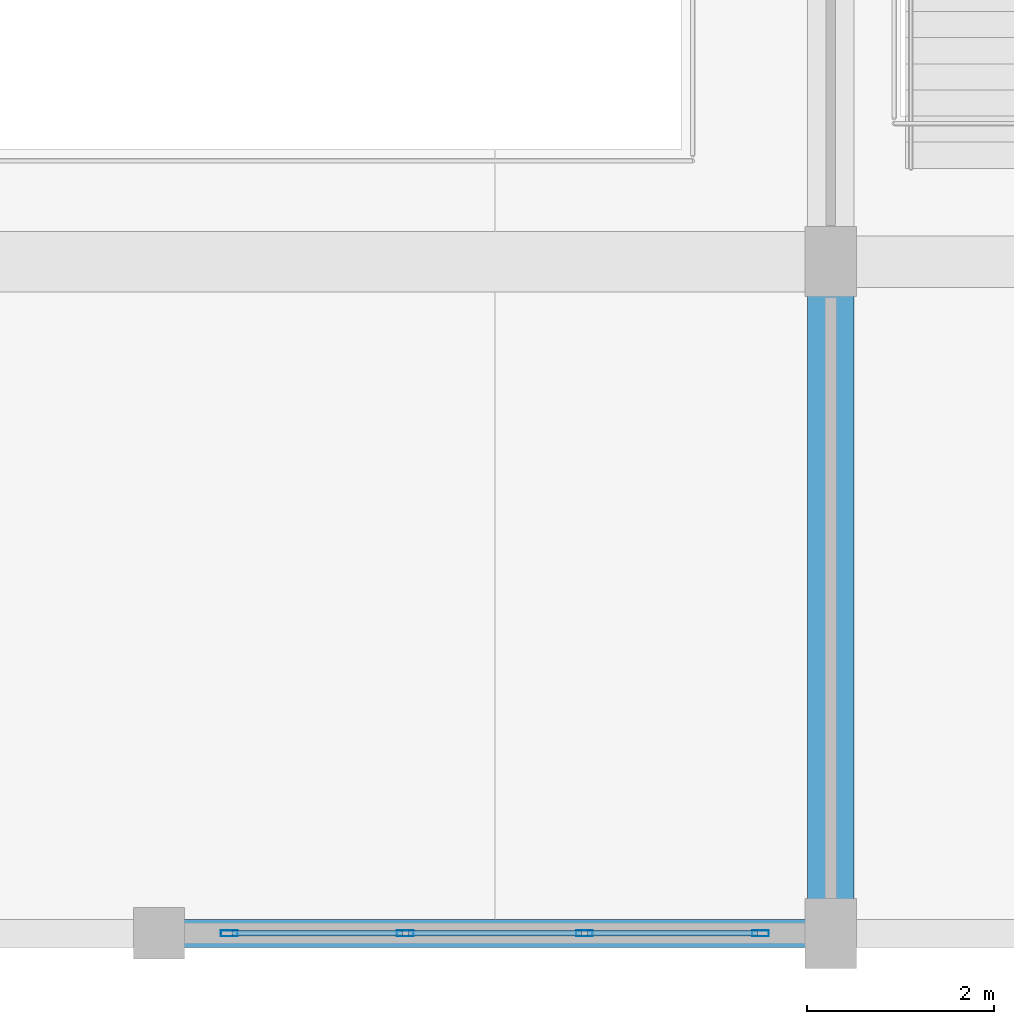
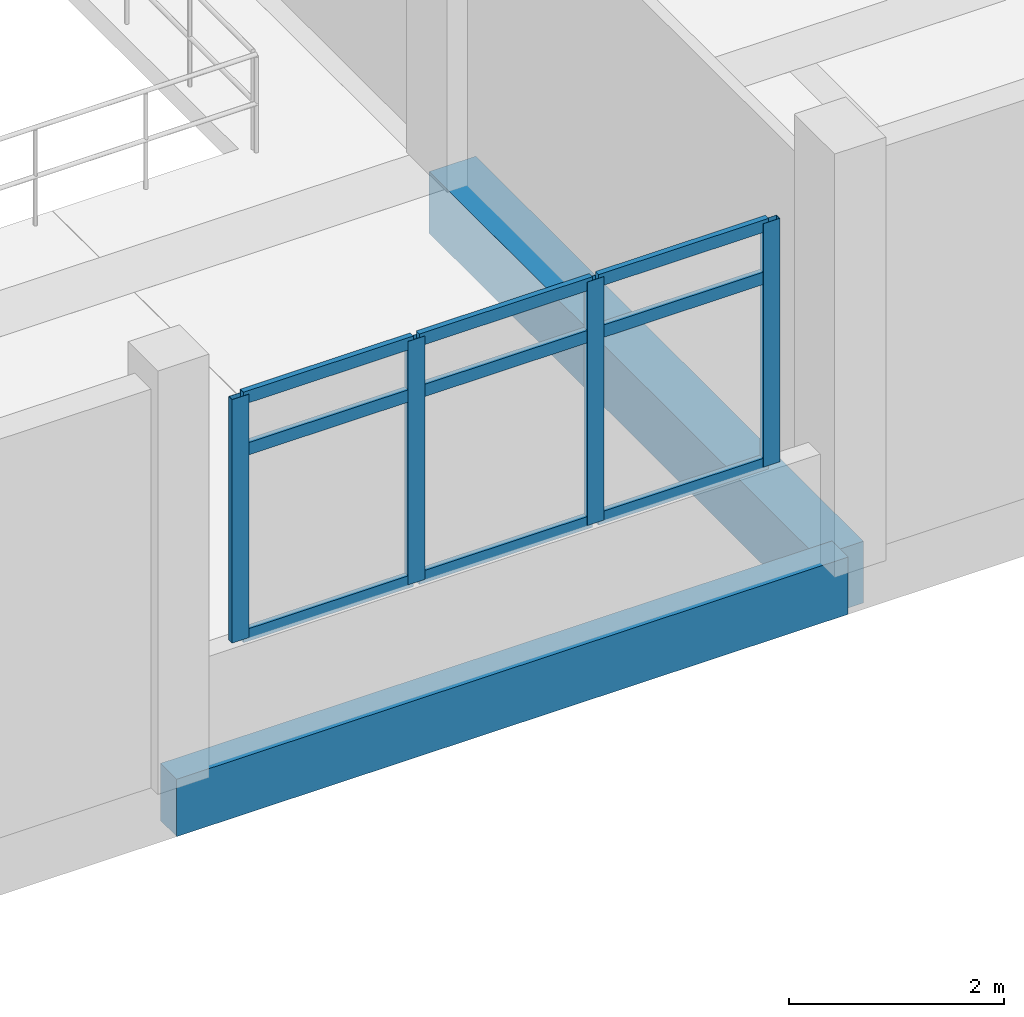
# One storey, part 106 of 181: 13 members, 2 beams, 1 element without a shape of its own.
"""IFC4 building model written with IfcOpenShell, lengths in metres."""

from ifc_helpers import new_model, si_unit, direction, frame, origin, origin_2d, place, context, subcontext, project, spatial, rectangle, hollow_rectangle, extrude, material, layer, layer_set, material_profile, profile_set, type_object, element, aggregate, save


model = new_model("IFC4")

# Units and contexts
model_context = context("Model", 3, precision=1e-05, world=origin(), true_north=direction((0.0, 1.0)))
body_context = subcontext(model_context, "Body", "Model", "MODEL_VIEW")
ifc_project = project(units=[si_unit("LENGTHUNIT", "METRE"), si_unit("AREAUNIT", "SQUARE_METRE"), si_unit("VOLUMEUNIT", "CUBIC_METRE"), si_unit("PLANEANGLEUNIT", "RADIAN"), si_unit("MASSUNIT", "GRAM", prefix="KILO")], contexts=[model_context])

# Site, building, storey
site_placement = place(None, origin())
site = spatial("IfcSite", under=ifc_project, at=site_placement, CompositionType="ELEMENT")
building_placement = place(site_placement, origin())
building = spatial("IfcBuilding", under=site, at=building_placement, Name="Seraya Terrace Polytechnic", CompositionType="ELEMENT")
storey_placement = place(building_placement, frame((0.0, 0.0, 4.800048828125)))
storey = spatial("IfcBuildingStorey", under=building, at=storey_placement, Name="L01", CompositionType="ELEMENT", Elevation=4.800048828125)

# Beam
ifc_material_1 = material(Name="Concrete C40/50", Category="concrete")
ifc_material_profile_1 = material_profile(ifc_material_1, rectangle(XDim=0.5, YDim=0.699951171875, at=origin_2d()), Name="RC 500x700")
ifc_profile_set_1 = profile_set([ifc_material_profile_1], Name="Concrete C40/50")
beam_type_1 = type_object("IfcBeamType", Name="BM-07", PredefinedType="BEAM", material=ifc_profile_set_1)
beam_1_placement = place(storey_placement, frame((151.199951171875, 0.0, -0.35009765625), z_axis=(0.0, 1.0, 0.0), x_axis=(-1.0, 0.0, 0.0)))
element("IfcBeam", 1, at=beam_1_placement, inside=storey, type_object=beam_type_1, Name="Beam BM-07 L01 Y (151.2, 0.0..7.2)", PredefinedType="BEAM", context=body_context, shape_type="SweptSolid", body=[
    extrude(rectangle(XDim=0.5, YDim=0.699951171875, at=origin_2d()), origin(), (0.0, 0.0, 1.0), 7.199951171875),
])

# Curtain wall, members
ifc_material_2 = material(Name="Anodised aluminium EN AW-6063 T6", Category="aluminium")
ifc_layer = layer(ifc_material_2, 0.179931640625, Name="CW-28")
ifc_layer_set = layer_set([ifc_layer], Name="Anodised aluminium EN AW-6063 T6")
curtain_wall_type = type_object("IfcCurtainWallType", Name="CW-28", PredefinedType="NOTDEFINED", material=ifc_layer_set)
curtain_wall_placement = place(storey_placement, origin())
curtain_wall = element("IfcCurtainWall", 2, at=curtain_wall_placement, inside=storey, type_object=curtain_wall_type, Name="Unitised curtain wall CW-28 (CW-L01-028)", PredefinedType="NOTDEFINED")
ifc_material_profile_2 = material_profile(ifc_material_2, hollow_rectangle(XDim=0.06494140625, YDim=0.179931640625, WallThickness=0.00390625, at=origin_2d()), Name="RHS 180x65x4.0")
ifc_profile_set_2 = profile_set([ifc_material_profile_2], Name="Anodised aluminium EN AW-6063 T6")
member_type_1 = type_object("IfcMemberType", Name="CWM-01", PredefinedType="MULLION", material=ifc_profile_set_2)
member_1_placement = place(storey_placement, frame((150.447509765625, 0.0, 1.239990234375), z_axis=(0.0, 0.0, 1.0), x_axis=(0.0, -1.0, 0.0)))
member_1 = element("IfcMember", 3, at=member_1_placement, type_object=member_type_1, Name="CW-28 mullion 1", PredefinedType="MULLION", context=body_context, shape_type="SweptSolid", body=[
    extrude(hollow_rectangle(XDim=0.06494140625, YDim=0.179931640625, WallThickness=0.00390625, at=origin_2d()), origin(), (0.0, 0.0, 1.0), 2.760009765625),
])
member_2_placement = place(storey_placement, frame((148.56005859375, 0.0, 1.239990234375), z_axis=(0.0, 0.0, 1.0), x_axis=(0.0, -1.0, 0.0)))
member_2 = element("IfcMember", 4, at=member_2_placement, type_object=member_type_1, Name="CW-28 mullion 2", PredefinedType="MULLION", context=body_context, shape_type="SweptSolid", body=[
    extrude(hollow_rectangle(XDim=0.06494140625, YDim=0.179931640625, WallThickness=0.00390625, at=origin_2d()), origin(), (0.0, 0.0, 1.0), 2.760009765625),
])
member_3_placement = place(storey_placement, frame((146.639892578125, 0.0, 1.239990234375), z_axis=(0.0, 0.0, 1.0), x_axis=(0.0, -1.0, 0.0)))
member_3 = element("IfcMember", 5, at=member_3_placement, type_object=member_type_1, Name="CW-28 mullion 3", PredefinedType="MULLION", context=body_context, shape_type="SweptSolid", body=[
    extrude(hollow_rectangle(XDim=0.06494140625, YDim=0.179931640625, WallThickness=0.00390625, at=origin_2d()), origin(), (0.0, 0.0, 1.0), 2.760009765625),
])
member_4_placement = place(storey_placement, frame((144.75244140625, 0.0, 1.239990234375), z_axis=(0.0, 0.0, 1.0), x_axis=(0.0, -1.0, 0.0)))
member_4 = element("IfcMember", 6, at=member_4_placement, type_object=member_type_1, Name="CW-28 mullion 4", PredefinedType="MULLION", context=body_context, shape_type="SweptSolid", body=[
    extrude(hollow_rectangle(XDim=0.06494140625, YDim=0.179931640625, WallThickness=0.00390625, at=origin_2d()), origin(), (0.0, 0.0, 1.0), 2.760009765625),
])
ifc_material_profile_3 = material_profile(ifc_material_2, hollow_rectangle(XDim=0.06005859375, YDim=0.139892578125, WallThickness=0.00341796875, at=origin_2d()), Name="RHS 140x60x3.5")
ifc_profile_set_3 = profile_set([ifc_material_profile_3], Name="Anodised aluminium EN AW-6063 T6")
member_type_2 = type_object("IfcMemberType", Name="CWT-01", PredefinedType="USERDEFINED", material=ifc_profile_set_3)
member_5_placement = place(storey_placement, frame((150.4150390625, 0.0, 1.27001953125), z_axis=(-1.0, 0.0, 0.0), x_axis=(0.0, -1.0, 0.0)))
member_5 = element("IfcMember", 7, at=member_5_placement, type_object=member_type_2, Name="CW-28 transom 1.1", ObjectType="TRANSOM", PredefinedType="USERDEFINED", context=body_context, shape_type="SweptSolid", body=[
    extrude(hollow_rectangle(XDim=0.06005859375, YDim=0.139892578125, WallThickness=0.00341796875, at=origin_2d()), origin(), (0.0, 0.0, 1.0), 1.822509765625),
])
member_6_placement = place(storey_placement, frame((150.4150390625, 0.0, 3.3798828125), z_axis=(-1.0, 0.0, 0.0), x_axis=(0.0, -1.0, 0.0)))
member_6 = element("IfcMember", 8, at=member_6_placement, type_object=member_type_2, Name="CW-28 transom 1.2", ObjectType="TRANSOM", PredefinedType="USERDEFINED", context=body_context, shape_type="SweptSolid", body=[
    extrude(hollow_rectangle(XDim=0.06005859375, YDim=0.139892578125, WallThickness=0.00341796875, at=origin_2d()), origin(), (0.0, 0.0, 1.0), 1.822509765625),
])
member_7_placement = place(storey_placement, frame((150.4150390625, 0.0, 3.969970703125), z_axis=(-1.0, 0.0, 0.0), x_axis=(0.0, -1.0, 0.0)))
member_7 = element("IfcMember", 9, at=member_7_placement, type_object=member_type_2, Name="CW-28 transom 1.3", ObjectType="TRANSOM", PredefinedType="USERDEFINED", context=body_context, shape_type="SweptSolid", body=[
    extrude(hollow_rectangle(XDim=0.06005859375, YDim=0.139892578125, WallThickness=0.00341796875, at=origin_2d()), origin(), (0.0, 0.0, 1.0), 1.822509765625),
])
member_8_placement = place(storey_placement, frame((148.527587890625, 0.0, 1.27001953125), z_axis=(-1.0, 0.0, 0.0), x_axis=(0.0, -1.0, 0.0)))
member_8 = element("IfcMember", 10, at=member_8_placement, type_object=member_type_2, Name="CW-28 transom 2.1", ObjectType="TRANSOM", PredefinedType="USERDEFINED", context=body_context, shape_type="SweptSolid", body=[
    extrude(hollow_rectangle(XDim=0.06005859375, YDim=0.139892578125, WallThickness=0.00341796875, at=origin_2d()), origin(), (0.0, 0.0, 1.0), 1.85498046875),
])
member_9_placement = place(storey_placement, frame((148.527587890625, 0.0, 3.3798828125), z_axis=(-1.0, 0.0, 0.0), x_axis=(0.0, -1.0, 0.0)))
member_9 = element("IfcMember", 11, at=member_9_placement, type_object=member_type_2, Name="CW-28 transom 2.2", ObjectType="TRANSOM", PredefinedType="USERDEFINED", context=body_context, shape_type="SweptSolid", body=[
    extrude(hollow_rectangle(XDim=0.06005859375, YDim=0.139892578125, WallThickness=0.00341796875, at=origin_2d()), origin(), (0.0, 0.0, 1.0), 1.85498046875),
])
member_10_placement = place(storey_placement, frame((148.527587890625, 0.0, 3.969970703125), z_axis=(-1.0, 0.0, 0.0), x_axis=(0.0, -1.0, 0.0)))
member_10 = element("IfcMember", 12, at=member_10_placement, type_object=member_type_2, Name="CW-28 transom 2.3", ObjectType="TRANSOM", PredefinedType="USERDEFINED", context=body_context, shape_type="SweptSolid", body=[
    extrude(hollow_rectangle(XDim=0.06005859375, YDim=0.139892578125, WallThickness=0.00341796875, at=origin_2d()), origin(), (0.0, 0.0, 1.0), 1.85498046875),
])
member_11_placement = place(storey_placement, frame((146.607421875, 0.0, 1.27001953125), z_axis=(-1.0, 0.0, 0.0), x_axis=(0.0, -1.0, 0.0)))
member_11 = element("IfcMember", 13, at=member_11_placement, type_object=member_type_2, Name="CW-28 transom 3.1", ObjectType="TRANSOM", PredefinedType="USERDEFINED", context=body_context, shape_type="SweptSolid", body=[
    extrude(hollow_rectangle(XDim=0.06005859375, YDim=0.139892578125, WallThickness=0.00341796875, at=origin_2d()), origin(), (0.0, 0.0, 1.0), 1.822509765625),
])
member_12_placement = place(storey_placement, frame((146.607421875, 0.0, 3.3798828125), z_axis=(-1.0, 0.0, 0.0), x_axis=(0.0, -1.0, 0.0)))
member_12 = element("IfcMember", 14, at=member_12_placement, type_object=member_type_2, Name="CW-28 transom 3.2", ObjectType="TRANSOM", PredefinedType="USERDEFINED", context=body_context, shape_type="SweptSolid", body=[
    extrude(hollow_rectangle(XDim=0.06005859375, YDim=0.139892578125, WallThickness=0.00341796875, at=origin_2d()), origin(), (0.0, 0.0, 1.0), 1.822509765625),
])
member_13_placement = place(storey_placement, frame((146.607421875, 0.0, 3.969970703125), z_axis=(-1.0, 0.0, 0.0), x_axis=(0.0, -1.0, 0.0)))
member_13 = element("IfcMember", 15, at=member_13_placement, type_object=member_type_2, Name="CW-28 transom 3.3", ObjectType="TRANSOM", PredefinedType="USERDEFINED", context=body_context, shape_type="SweptSolid", body=[
    extrude(hollow_rectangle(XDim=0.06005859375, YDim=0.139892578125, WallThickness=0.00341796875, at=origin_2d()), origin(), (0.0, 0.0, 1.0), 1.822509765625),
])
aggregate(curtain_wall, [member_1, member_2, member_3, member_4, member_5, member_6, member_7, member_8, member_9, member_10, member_11, member_12, member_13])

# Beam
ifc_material_profile_4 = material_profile(ifc_material_1, rectangle(XDim=0.300048828125, YDim=0.64990234375, at=origin_2d()), Name="RC 300x650")
ifc_profile_set_4 = profile_set([ifc_material_profile_4], Name="Concrete C40/50")
beam_type_2 = type_object("IfcBeamType", Name="SP-01", PredefinedType="SPANDREL", material=ifc_profile_set_4)
beam_2_placement = place(storey_placement, frame((144.0, 0.0, -0.324951171875), z_axis=(1.0, 0.0, 0.0), x_axis=(0.0, 1.0, 0.0)))
element("IfcBeam", 16, at=beam_2_placement, inside=storey, type_object=beam_type_2, Name="Beam SP-01 L01 X (144.0..151.2, 0.0)", PredefinedType="SPANDREL", context=body_context, shape_type="SweptSolid", body=[
    extrude(rectangle(XDim=0.300048828125, YDim=0.64990234375, at=origin_2d()), origin(), (0.0, 0.0, 1.0), 7.199951171875),
])

save(model, "model.ifc")
